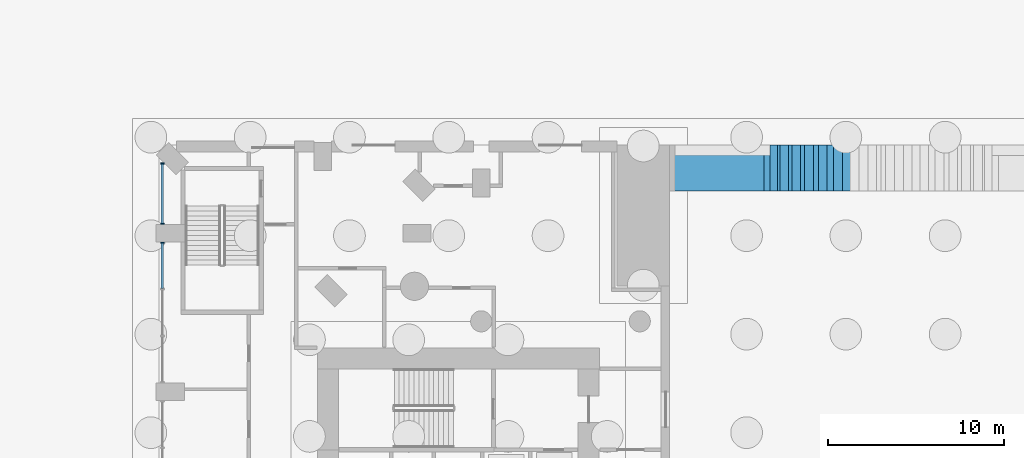
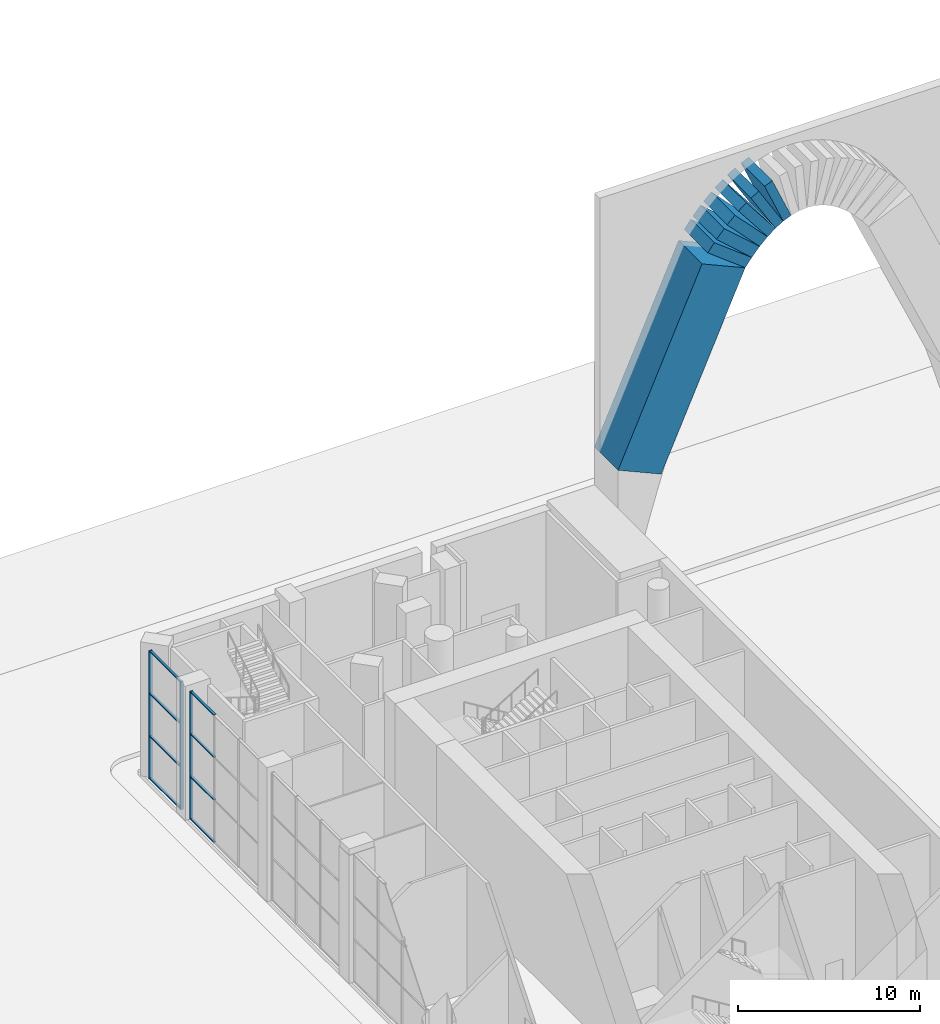
# One storey, part 6 of 25: 18 members, 2 elements without a shape of their own.
"""IFC4 building model written with IfcOpenShell, lengths in metres."""

from ifc_helpers import new_model, si_unit, direction, frame, origin, origin_2d, place, context, subcontext, project, spatial, rectangle, extrude, material, material_profile, profile_set, type_object, element, aggregate, save


model = new_model("IFC4")

# Units and contexts
model_context = context("Model", 3, precision=1e-05, world=origin(), true_north=direction((0.0, 1.0)))
body_context = subcontext(model_context, "Body", "Model", "MODEL_VIEW")
ifc_project = project(units=[si_unit("LENGTHUNIT", "METRE"), si_unit("AREAUNIT", "SQUARE_METRE"), si_unit("VOLUMEUNIT", "CUBIC_METRE"), si_unit("PLANEANGLEUNIT", "RADIAN"), si_unit("MASSUNIT", "GRAM", prefix="KILO")], contexts=[model_context])

# Site, building, storey
site_placement = place(None, origin())
site = spatial("IfcSite", under=ifc_project, at=site_placement, CompositionType="ELEMENT")
building_placement = place(site_placement, origin())
building = spatial("IfcBuilding", under=site, at=building_placement, Name="Cypress Arch Tower", CompositionType="ELEMENT")
storey_placement = place(building_placement, origin())
storey = spatial("IfcBuildingStorey", under=building, at=storey_placement, Name="L00", CompositionType="ELEMENT", Elevation=0.0)

# Members
ifc_material_1 = material(Name="Concrete C80/95", Category="concrete")
ifc_material_profile_1 = material_profile(ifc_material_1, rectangle(XDim=2.60009765625, YDim=3.0, at=origin_2d()), Name="RC 2600x3000")
ifc_profile_set_1 = profile_set([ifc_material_profile_1], Name="Concrete C80/95")
member_type_1 = type_object("IfcMemberType", Name="Arch rib RC 2600x3000 Concrete C80/95", PredefinedType="USERDEFINED", material=ifc_profile_set_1)
member_1_placement = place(storey_placement, frame((-8.629638671875, 26.199951171875, 10.943115234375), z_axis=(0.4067510617, 0.0, 0.913539037921), x_axis=(0.0, 1.0, 0.0)))
element("IfcMember", 1, at=member_1_placement, inside=storey, type_object=member_type_1, Name="Gate arch rib RIB-N06", ObjectType="ARCH RIB", PredefinedType="USERDEFINED", context=body_context, shape_type="SweptSolid", body=[
    extrude(rectangle(XDim=2.60009765625, YDim=3.0, at=origin_2d()), origin(), (0.0, 0.0, 1.0), 13.125),
])
member_2_placement = place(storey_placement, frame((-3.107177734375, 26.199951171875, 23.2421875), z_axis=(0.609364245785, 0.0, 0.792890418633), x_axis=(0.0, 1.0, 0.0)))
element("IfcMember", 2, at=member_2_placement, inside=storey, type_object=member_type_1, Name="Gate arch rib RIB-N16", ObjectType="ARCH RIB", PredefinedType="USERDEFINED", context=body_context, shape_type="SweptSolid", body=[
    extrude(rectangle(XDim=2.60009765625, YDim=3.0, at=origin_2d()), origin(), (0.0, 0.0, 1.0), 0.68115234375),
])
member_3_placement = place(storey_placement, frame((-2.621337890625, 26.199951171875, 23.8681640625), z_axis=(0.663349104296, 0.0, 0.748310073319), x_axis=(0.0, 1.0, 0.0)))
element("IfcMember", 3, at=member_3_placement, inside=storey, type_object=member_type_1, Name="Gate arch rib RIB-N17", ObjectType="ARCH RIB", PredefinedType="USERDEFINED", context=body_context, shape_type="SweptSolid", body=[
    extrude(rectangle(XDim=2.60009765625, YDim=3.0, at=origin_2d()), origin(), (0.0, 0.0, 1.0), 0.7470703125),
])
member_4_placement = place(storey_placement, frame((-2.03466796875, 26.199951171875, 24.521728515625), z_axis=(0.723671260726, 0.0, 0.690144844507), x_axis=(0.0, 1.0, 0.0)))
element("IfcMember", 4, at=member_4_placement, inside=storey, type_object=member_type_1, Name="Gate arch rib RIB-N18", ObjectType="ARCH RIB", PredefinedType="USERDEFINED", context=body_context, shape_type="SweptSolid", body=[
    extrude(rectangle(XDim=2.60009765625, YDim=3.0, at=origin_2d()), origin(), (0.0, 0.0, 1.0), 0.6845703125),
])
member_5_placement = place(storey_placement, frame((-1.422119140625, 26.199951171875, 25.095458984375), z_axis=(0.788366417361, 0.0, 0.615205975245), x_axis=(0.0, 1.0, 0.0)))
element("IfcMember", 5, at=member_5_placement, inside=storey, type_object=member_type_1, Name="Gate arch rib RIB-N19", ObjectType="ARCH RIB", PredefinedType="USERDEFINED", context=body_context, shape_type="SweptSolid", body=[
    extrude(rectangle(XDim=2.60009765625, YDim=3.0, at=origin_2d()), origin(), (0.0, 0.0, 1.0), 0.62744140625),
])
member_6_placement = place(storey_placement, frame((-0.77783203125, 26.199951171875, 25.5849609375), z_axis=(0.854988032959, 0.0, 0.518647725818), x_axis=(0.0, 1.0, 0.0)))
element("IfcMember", 6, at=member_6_placement, inside=storey, type_object=member_type_1, Name="Gate arch rib RIB-N20", ObjectType="ARCH RIB", PredefinedType="USERDEFINED", context=body_context, shape_type="SweptSolid", body=[
    extrude(rectangle(XDim=2.60009765625, YDim=3.0, at=origin_2d()), origin(), (0.0, 0.0, 1.0), 0.57861328125),
])
member_7_placement = place(storey_placement, frame((-0.095947265625, 26.199951171875, 25.981689453125), z_axis=(0.917544609986, 0.0, 0.397632856647), x_axis=(0.0, 1.0, 0.0)))
element("IfcMember", 7, at=member_7_placement, inside=storey, type_object=member_type_1, Name="Gate arch rib RIB-N21", ObjectType="ARCH RIB", PredefinedType="USERDEFINED", context=body_context, shape_type="SweptSolid", body=[
    extrude(rectangle(XDim=2.60009765625, YDim=3.0, at=origin_2d()), origin(), (0.0, 0.0, 1.0), 0.5390625),
])

# Curtain wall, members
ifc_material_2 = material(Name="Anodised aluminium, bronze finish, clear laminated low-emissivity double glazing", Category="aluminium")
curtain_wall_type = type_object("IfcCurtainWallType", Name="Curtain wall CW1 ground storefront", PredefinedType="NOTDEFINED", material=ifc_material_2)
curtain_wall_1_placement = place(storey_placement, origin())
curtain_wall_1 = element("IfcCurtainWall", 8, at=curtain_wall_1_placement, inside=storey, type_object=curtain_wall_type, Name="Curtain wall L00 P04.0.1", PredefinedType="NOTDEFINED")
ifc_material_3 = material(Name="Anodised aluminium, bronze finish", Category="aluminium")
ifc_material_profile_2 = material_profile(ifc_material_3, rectangle(XDim=0.199951171875, YDim=0.06494140625, at=origin_2d()), Name="Mullion 65x200")
ifc_profile_set_2 = profile_set([ifc_material_profile_2], Name="Anodised aluminium, bronze finish")
member_type_2 = type_object("IfcMemberType", Name="Mullion CW1 65x200", PredefinedType="MULLION", material=ifc_profile_set_2)
member_8_placement = place(storey_placement, frame((-38.800048828125, 26.46044921875, 0.0), z_axis=(0.0, 0.0, 1.0), x_axis=(1.0, 0.0, 0.0)))
member_8 = element("IfcMember", 9, at=member_8_placement, type_object=member_type_2, Name="CW1 mullion 1", PredefinedType="MULLION", context=body_context, shape_type="SweptSolid", body=[
    extrude(rectangle(XDim=0.199951171875, YDim=0.06494140625, at=origin_2d()), origin(), (0.0, 0.0, 1.0), 8.60009765625),
])
member_9_placement = place(storey_placement, frame((-38.800048828125, 23.032470703125, 0.0), z_axis=(0.0, 0.0, 1.0), x_axis=(1.0, 0.0, 0.0)))
member_9 = element("IfcMember", 10, at=member_9_placement, type_object=member_type_2, Name="CW1 mullion 2", PredefinedType="MULLION", context=body_context, shape_type="SweptSolid", body=[
    extrude(rectangle(XDim=0.199951171875, YDim=0.06494140625, at=origin_2d()), origin(), (0.0, 0.0, 1.0), 8.60009765625),
])

# Curtain wall, member
curtain_wall_2_placement = place(storey_placement, origin())
curtain_wall_2 = element("IfcCurtainWall", 11, at=curtain_wall_2_placement, inside=storey, type_object=curtain_wall_type, Name="Curtain wall L00 P04.1.1", PredefinedType="NOTDEFINED")
member_10_placement = place(storey_placement, frame((-38.800048828125, 21.967529296875, 0.0), z_axis=(0.0, 0.0, 1.0), x_axis=(1.0, 0.0, 0.0)))
member_10 = element("IfcMember", 12, at=member_10_placement, type_object=member_type_2, Name="CW1 mullion 1", PredefinedType="MULLION", context=body_context, shape_type="SweptSolid", body=[
    extrude(rectangle(XDim=0.199951171875, YDim=0.06494140625, at=origin_2d()), origin(), (0.0, 0.0, 1.0), 8.60009765625),
])

# Member
ifc_material_4 = material(Name="Anodised aluminium, bronze finish", Category="aluminium")
ifc_material_profile_3 = material_profile(ifc_material_4, rectangle(XDim=0.14990234375, YDim=0.06494140625, at=origin_2d()), Name="Transom 65x150")
ifc_profile_set_3 = profile_set([ifc_material_profile_3], Name="Anodised aluminium, bronze finish")
member_type_3 = type_object("IfcMemberType", Name="Transom CW1 65x150", PredefinedType="USERDEFINED", material=ifc_profile_set_3)
member_11_placement = place(storey_placement, frame((-38.800048828125, 26.427978515625, 0.032470703125), z_axis=(0.0, -1.0, 0.0), x_axis=(1.0, 0.0, 0.0)))
member_11 = element("IfcMember", 13, at=member_11_placement, type_object=member_type_3, Name="CW1 transom 1.1", ObjectType="TRANSOM", PredefinedType="USERDEFINED", context=body_context, shape_type="SweptSolid", body=[
    extrude(rectangle(XDim=0.14990234375, YDim=0.06494140625, at=origin_2d()), origin(), (0.0, 0.0, 1.0), 3.363037109375),
])

member_12_placement = place(storey_placement, frame((-38.800048828125, 26.427978515625, 2.86669921875), z_axis=(0.0, -1.0, 0.0), x_axis=(1.0, 0.0, 0.0)))
member_12 = element("IfcMember", 14, at=member_12_placement, type_object=member_type_3, Name="CW1 transom 1.2", ObjectType="TRANSOM", PredefinedType="USERDEFINED", context=body_context, shape_type="SweptSolid", body=[
    extrude(rectangle(XDim=0.14990234375, YDim=0.06494140625, at=origin_2d()), origin(), (0.0, 0.0, 1.0), 3.363037109375),
])

member_13_placement = place(storey_placement, frame((-38.800048828125, 26.427978515625, 5.7333984375), z_axis=(0.0, -1.0, 0.0), x_axis=(1.0, 0.0, 0.0)))
member_13 = element("IfcMember", 15, at=member_13_placement, type_object=member_type_3, Name="CW1 transom 1.3", ObjectType="TRANSOM", PredefinedType="USERDEFINED", context=body_context, shape_type="SweptSolid", body=[
    extrude(rectangle(XDim=0.14990234375, YDim=0.06494140625, at=origin_2d()), origin(), (0.0, 0.0, 1.0), 3.363037109375),
])

member_14_placement = place(storey_placement, frame((-38.800048828125, 26.427978515625, 8.5673828125), z_axis=(0.0, -1.0, 0.0), x_axis=(1.0, 0.0, 0.0)))
member_14 = element("IfcMember", 16, at=member_14_placement, type_object=member_type_3, Name="CW1 transom 1.4", ObjectType="TRANSOM", PredefinedType="USERDEFINED", context=body_context, shape_type="SweptSolid", body=[
    extrude(rectangle(XDim=0.14990234375, YDim=0.06494140625, at=origin_2d()), origin(), (0.0, 0.0, 1.0), 3.363037109375),
])

aggregate(curtain_wall_1, [member_8, member_9, member_11, member_12, member_13, member_14])

member_15_placement = place(storey_placement, frame((-38.800048828125, 21.93505859375, 0.032470703125), z_axis=(0.0, -1.0, 0.0), x_axis=(1.0, 0.0, 0.0)))
member_15 = element("IfcMember", 17, at=member_15_placement, type_object=member_type_3, Name="CW1 transom 1.1", ObjectType="TRANSOM", PredefinedType="USERDEFINED", context=body_context, shape_type="SweptSolid", body=[
    extrude(rectangle(XDim=0.14990234375, YDim=0.06494140625, at=origin_2d()), origin(), (0.0, 0.0, 1.0), 2.5693359375),
])

member_16_placement = place(storey_placement, frame((-38.800048828125, 21.93505859375, 2.86669921875), z_axis=(0.0, -1.0, 0.0), x_axis=(1.0, 0.0, 0.0)))
member_16 = element("IfcMember", 18, at=member_16_placement, type_object=member_type_3, Name="CW1 transom 1.2", ObjectType="TRANSOM", PredefinedType="USERDEFINED", context=body_context, shape_type="SweptSolid", body=[
    extrude(rectangle(XDim=0.14990234375, YDim=0.06494140625, at=origin_2d()), origin(), (0.0, 0.0, 1.0), 2.5693359375),
])

member_17_placement = place(storey_placement, frame((-38.800048828125, 21.93505859375, 5.7333984375), z_axis=(0.0, -1.0, 0.0), x_axis=(1.0, 0.0, 0.0)))
member_17 = element("IfcMember", 19, at=member_17_placement, type_object=member_type_3, Name="CW1 transom 1.3", ObjectType="TRANSOM", PredefinedType="USERDEFINED", context=body_context, shape_type="SweptSolid", body=[
    extrude(rectangle(XDim=0.14990234375, YDim=0.06494140625, at=origin_2d()), origin(), (0.0, 0.0, 1.0), 2.5693359375),
])

member_18_placement = place(storey_placement, frame((-38.800048828125, 21.93505859375, 8.5673828125), z_axis=(0.0, -1.0, 0.0), x_axis=(1.0, 0.0, 0.0)))
member_18 = element("IfcMember", 20, at=member_18_placement, type_object=member_type_3, Name="CW1 transom 1.4", ObjectType="TRANSOM", PredefinedType="USERDEFINED", context=body_context, shape_type="SweptSolid", body=[
    extrude(rectangle(XDim=0.14990234375, YDim=0.06494140625, at=origin_2d()), origin(), (0.0, 0.0, 1.0), 2.5693359375),
])

aggregate(curtain_wall_2, [member_10, member_15, member_16, member_17, member_18])

save(model, "model.ifc")
